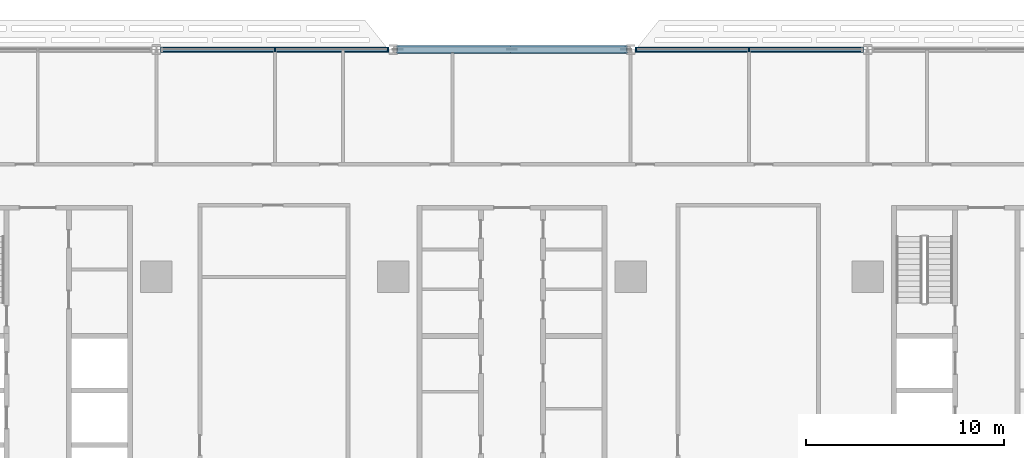
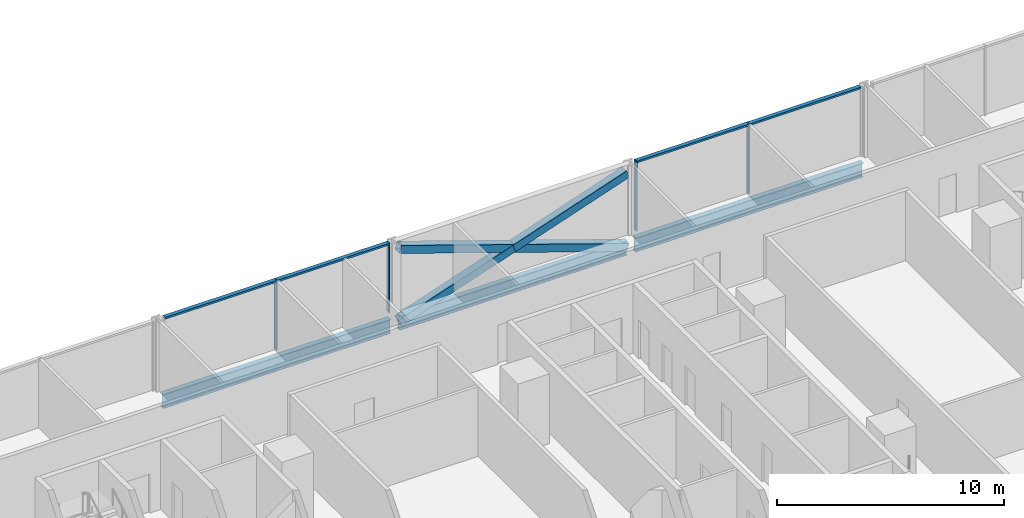
# One storey, part 6 of 29: 11 members, 3 beams, 2 elements without a shape of their own.
"""IFC4 building model written with IfcOpenShell, lengths in metres."""

from ifc_helpers import new_model, si_unit, direction, frame, origin, origin_2d, place, context, subcontext, project, spatial, rectangle, hollow_rectangle, i_section, extrude, material, material_profile, profile_set, type_object, element, aggregate, save


model = new_model("IFC4")

# Units and contexts
model_context = context("Model", 3, precision=1e-05, world=origin(), true_north=direction((0.0, 1.0)))
body_context = subcontext(model_context, "Body", "Model", "MODEL_VIEW")
ifc_project = project(units=[si_unit("LENGTHUNIT", "METRE"), si_unit("AREAUNIT", "SQUARE_METRE"), si_unit("VOLUMEUNIT", "CUBIC_METRE"), si_unit("PLANEANGLEUNIT", "RADIAN"), si_unit("MASSUNIT", "GRAM", prefix="KILO")], contexts=[model_context])

# Site, building, storey
site_placement = place(None, origin())
site = spatial("IfcSite", under=ifc_project, at=site_placement, CompositionType="ELEMENT")
building_placement = place(site_placement, origin())
building = spatial("IfcBuilding", under=site, at=building_placement, Name="Mahtab Terrace Research Tower", CompositionType="ELEMENT")
storey_placement = place(building_placement, frame((0.0, 0.0, 37.300048828125)))
storey = spatial("IfcBuildingStorey", under=building, at=storey_placement, Name="L08", CompositionType="ELEMENT", Elevation=37.300048828125)

# Members
ifc_material_1 = material(Name="Steel ASTM A500 Gr C", Category="steel")
ifc_material_profile_1 = material_profile(ifc_material_1, hollow_rectangle(XDim=0.406494140625, YDim=0.406494140625, WallThickness=0.01904296875, at=origin_2d()), Name="HSS16X16X3/4")
ifc_profile_set_1 = profile_set([ifc_material_profile_1], Name="Steel ASTM A500 Gr C")
member_type_1 = type_object("IfcMemberType", Name="HSS 16x16x3/4 brace XB161634", PredefinedType="BRACE", material=ifc_profile_set_1)
member_1_placement = place(storey_placement, frame((5.7841796875, 23.0, -0.64501953125), z_axis=(-0.946532370982, 0.0, 0.322608850907), x_axis=(0.0, -1.0, 0.0)))
element("IfcMember", 1, at=member_1_placement, inside=storey, type_object=member_type_1, Name="Exoskeleton brace L08 04 a", PredefinedType="BRACE", context=body_context, shape_type="SweptSolid", body=[
    extrude(hollow_rectangle(XDim=0.406494140625, YDim=0.406494140625, WallThickness=0.01904296875, at=origin_2d()), origin(), (0.0, 0.0, 1.0), 12.221923828125),
])
for number, where, z_axis, x_axis, name in (
    (2, (-5.7841796875, 23.0, -0.64501953125), (0.946532370982, 0.0, 0.322608850907), (0.0, 1.0, 0.0), "Exoskeleton brace L08 04 b1"),
    (3, (0.0, 23.0, 1.326416015625), (0.946532370982, 0.0, 0.322608850907), (0.0, 1.0, 0.0), "Exoskeleton brace L08 04 b2"),
):
    element("IfcMember", number, at=place(storey_placement, frame(where, z_axis=z_axis, x_axis=x_axis)), inside=storey, type_object=member_type_1, Name=name, PredefinedType="BRACE", context=body_context, shape_type="SweptSolid", body=[
        extrude(hollow_rectangle(XDim=0.406494140625, YDim=0.406494140625, WallThickness=0.01904296875, at=origin_2d()), origin(), (0.0, 0.0, 1.0), 6.11083984375),
    ])

# Curtain wall, members
ifc_material_2 = material(Name="Laboratory ribbon curtain wall")
curtain_wall_type = type_object("IfcCurtainWallType", Name="Laboratory ribbon curtain wall", PredefinedType="NOTDEFINED", material=ifc_material_2)
curtain_wall_1_placement = place(storey_placement, origin())
curtain_wall_1 = element("IfcCurtainWall", 4, at=curtain_wall_1_placement, inside=storey, type_object=curtain_wall_type, Name="EN.L08.3.5", PredefinedType="NOTDEFINED")
ifc_material_3 = material(Name="Natural anodised aluminium", Category="aluminium")
ifc_material_profile_2 = material_profile(ifc_material_3, rectangle(XDim=0.199951171875, YDim=0.06494140625, at=origin_2d()), Name="MULLION 65x200")
ifc_profile_set_2 = profile_set([ifc_material_profile_2], Name="Natural anodised aluminium")
member_type_2 = type_object("IfcMemberType", Name="Laboratory ribbon curtain wall mullion", PredefinedType="MULLION", material=ifc_profile_set_2)
member_2_placement = place(storey_placement, frame((12.0, 23.0, 0.0), z_axis=(0.0, 0.0, 1.0), x_axis=(0.0, -1.0, 0.0)))
member_2 = element("IfcMember", 5, at=member_2_placement, type_object=member_type_2, Name="CWL-1 mullion 2", PredefinedType="MULLION", context=body_context, shape_type="SweptSolid", body=[
    extrude(rectangle(XDim=0.199951171875, YDim=0.06494140625, at=origin_2d()), origin(), (0.0, 0.0, 1.0), 3.75),
])
member_3_placement = place(storey_placement, frame((6.281494140625, 23.0, 0.0), z_axis=(0.0, 0.0, 1.0), x_axis=(0.0, -1.0, 0.0)))
member_3 = element("IfcMember", 6, at=member_3_placement, type_object=member_type_2, Name="CWL-1 mullion 3", PredefinedType="MULLION", context=body_context, shape_type="SweptSolid", body=[
    extrude(rectangle(XDim=0.199951171875, YDim=0.06494140625, at=origin_2d()), origin(), (0.0, 0.0, 1.0), 3.75),
])

curtain_wall_2_placement = place(storey_placement, origin())
curtain_wall_2 = element("IfcCurtainWall", 7, at=curtain_wall_2_placement, inside=storey, type_object=curtain_wall_type, Name="EN.L08.3.7", PredefinedType="NOTDEFINED")
member_4_placement = place(storey_placement, frame((-6.281494140625, 23.0, 0.0), z_axis=(0.0, 0.0, 1.0), x_axis=(0.0, -1.0, 0.0)))
member_4 = element("IfcMember", 8, at=member_4_placement, type_object=member_type_2, Name="CWL-1 mullion 1", PredefinedType="MULLION", context=body_context, shape_type="SweptSolid", body=[
    extrude(rectangle(XDim=0.199951171875, YDim=0.06494140625, at=origin_2d()), origin(), (0.0, 0.0, 1.0), 3.75),
])
member_5_placement = place(storey_placement, frame((-12.0, 23.0, 0.0), z_axis=(0.0, 0.0, 1.0), x_axis=(0.0, -1.0, 0.0)))
member_5 = element("IfcMember", 9, at=member_5_placement, type_object=member_type_2, Name="CWL-1 mullion 2", PredefinedType="MULLION", context=body_context, shape_type="SweptSolid", body=[
    extrude(rectangle(XDim=0.199951171875, YDim=0.06494140625, at=origin_2d()), origin(), (0.0, 0.0, 1.0), 3.75),
])

# Member
ifc_material_profile_3 = material_profile(ifc_material_3, rectangle(XDim=0.199951171875, YDim=0.10009765625, at=origin_2d()), Name="TRANSOM 100x200")
ifc_profile_set_3 = profile_set([ifc_material_profile_3], Name="Natural anodised aluminium")
member_type_3 = type_object("IfcMemberType", Name="Laboratory ribbon curtain wall transom", PredefinedType="USERDEFINED", material=ifc_profile_set_3)
member_6_placement = place(storey_placement, frame((17.68603515625, 23.0, 3.699951171875), z_axis=(-1.0, 0.0, 0.0), x_axis=(0.0, -1.0, 0.0)))
member_6 = element("IfcMember", 10, at=member_6_placement, type_object=member_type_3, Name="CWL-1 transom 1", ObjectType="TRANSOM", PredefinedType="USERDEFINED", context=body_context, shape_type="SweptSolid", body=[
    extrude(rectangle(XDim=0.199951171875, YDim=0.10009765625, at=origin_2d()), origin(), (0.0, 0.0, 1.0), 5.653564453125),
])

member_7_placement = place(storey_placement, frame((11.967529296875, 23.0, 3.699951171875), z_axis=(-1.0, 0.0, 0.0), x_axis=(0.0, -1.0, 0.0)))
member_7 = element("IfcMember", 11, at=member_7_placement, type_object=member_type_3, Name="CWL-1 transom 2", ObjectType="TRANSOM", PredefinedType="USERDEFINED", context=body_context, shape_type="SweptSolid", body=[
    extrude(rectangle(XDim=0.199951171875, YDim=0.10009765625, at=origin_2d()), origin(), (0.0, 0.0, 1.0), 5.653564453125),
])

aggregate(curtain_wall_1, [member_2, member_3, member_6, member_7])

member_8_placement = place(storey_placement, frame((-6.31396484375, 23.0, 3.699951171875), z_axis=(-1.0, 0.0, 0.0), x_axis=(0.0, -1.0, 0.0)))
member_8 = element("IfcMember", 12, at=member_8_placement, type_object=member_type_3, Name="CWL-1 transom 1", ObjectType="TRANSOM", PredefinedType="USERDEFINED", context=body_context, shape_type="SweptSolid", body=[
    extrude(rectangle(XDim=0.199951171875, YDim=0.10009765625, at=origin_2d()), origin(), (0.0, 0.0, 1.0), 5.653564453125),
])

member_9_placement = place(storey_placement, frame((-12.032470703125, 23.0, 3.699951171875), z_axis=(-1.0, 0.0, 0.0), x_axis=(0.0, -1.0, 0.0)))
member_9 = element("IfcMember", 13, at=member_9_placement, type_object=member_type_3, Name="CWL-1 transom 2", ObjectType="TRANSOM", PredefinedType="USERDEFINED", context=body_context, shape_type="SweptSolid", body=[
    extrude(rectangle(XDim=0.199951171875, YDim=0.10009765625, at=origin_2d()), origin(), (0.0, 0.0, 1.0), 5.653564453125),
])

aggregate(curtain_wall_2, [member_4, member_5, member_8, member_9])

# Beams
ifc_material_4 = material(Name="Steel ASTM A992 Gr 50", Category="steel")
ifc_material_profile_4 = material_profile(ifc_material_4, i_section(OverallWidth=0.2666015625, OverallDepth=0.7568359375, WebThickness=0.013916015625, FlangeThickness=0.019287109375, at=origin_2d()), Name="W30X108")
ifc_profile_set_4 = profile_set([ifc_material_profile_4], Name="Steel ASTM A992 Gr 50")
beam_type = type_object("IfcBeamType", Name="W30x108 beam BS30108", PredefinedType="BEAM", material=ifc_profile_set_4)
for number, where, z_axis, x_axis, name in (
    (14, (17.7841796875, 23.0, -0.718505859375), (-1.0, 0.0, 0.0), (0.0, -1.0, 0.0), "Spandrel beam L08 03"),
    (15, (5.7841796875, 23.0, -0.718505859375), (-1.0, 0.0, 0.0), (0.0, -1.0, 0.0), "Spandrel beam L08 04"),
    (16, (-6.2158203125, 23.0, -0.718505859375), (-1.0, 0.0, 0.0), (0.0, -1.0, 0.0), "Spandrel beam L08 05"),
):
    element("IfcBeam", number, at=place(storey_placement, frame(where, z_axis=z_axis, x_axis=x_axis)), inside=storey, type_object=beam_type, Name=name, PredefinedType="BEAM", context=body_context, shape_type="SweptSolid", body=[
        extrude(i_section(OverallWidth=0.2666015625, OverallDepth=0.7568359375, WebThickness=0.013916015625, FlangeThickness=0.019287109375, at=origin_2d()), origin(), (0.0, 0.0, 1.0), 11.568359375),
    ])

save(model, "model.ifc")
